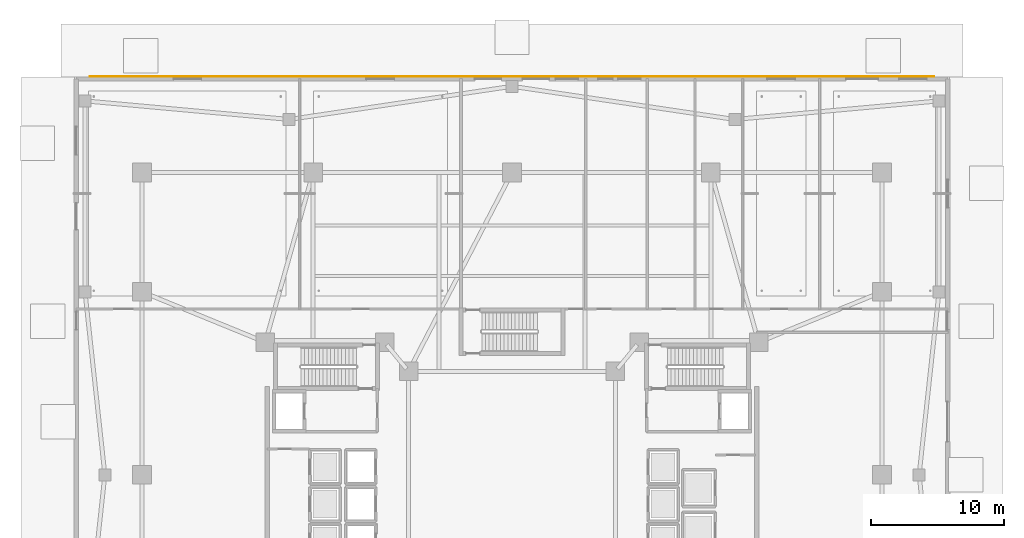
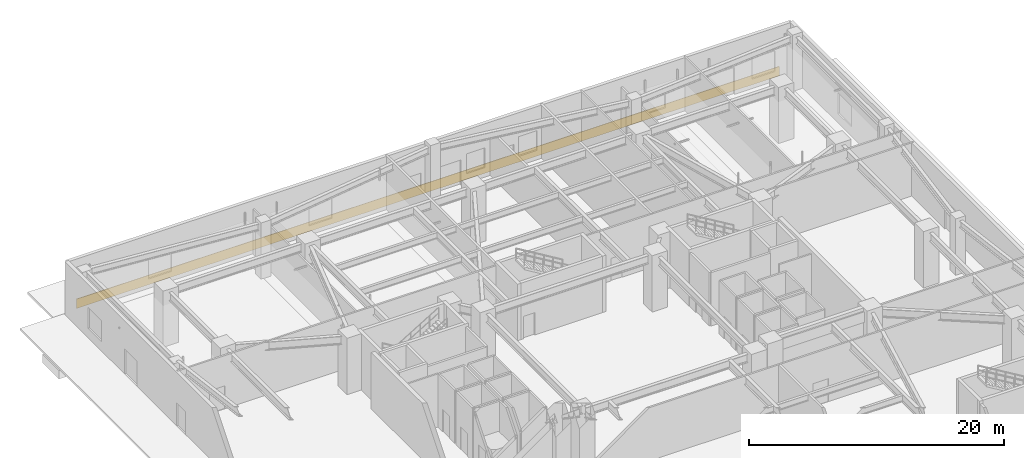
# One storey, part 17 of 18: 1 covering.
"""IFC4 building model written with IfcOpenShell, lengths in metres."""

from ifc_helpers import new_model, si_unit, direction, frame, origin, origin_2d, place, context, subcontext, project, spatial, rectangle, extrude, material, layer, layer_set, type_object, element, save


model = new_model("IFC4")

# Units and contexts
model_context = context("Model", 3, precision=1e-05, world=origin(), true_north=direction((0.0, 1.0)))
body_context = subcontext(model_context, "Body", "Model", "MODEL_VIEW")
ifc_project = project(units=[si_unit("LENGTHUNIT", "METRE"), si_unit("AREAUNIT", "SQUARE_METRE"), si_unit("VOLUMEUNIT", "CUBIC_METRE"), si_unit("PLANEANGLEUNIT", "RADIAN"), si_unit("MASSUNIT", "GRAM", prefix="KILO")], contexts=[model_context])

# Site, building, storey
site_placement = place(None, origin())
site = spatial("IfcSite", under=ifc_project, at=site_placement, CompositionType="ELEMENT")
building_placement = place(site_placement, origin())
building = spatial("IfcBuilding", under=site, at=building_placement, Name="Tarnavaz Court Tower", CompositionType="ELEMENT")
storey_placement = place(building_placement, origin())
storey = spatial("IfcBuildingStorey", under=building, at=storey_placement, Name="L00", CompositionType="ELEMENT", Elevation=0.0)

# Covering
ifc_material = material(Name="Doha Buff Limestone Ashlar Rainscreen", Category="masonry")
ifc_layer = layer(ifc_material, 0.050048828125)
ifc_layer_set = layer_set([ifc_layer], Name="Doha Buff Limestone Ashlar Rainscreen")
covering_type = type_object("IfcCoveringType", Name="CV-CLAD-LIME", PredefinedType="CLADDING", material=ifc_layer_set)
covering_placement = place(storey_placement, frame((0.0, 30.034912109375, 0.10009765625), z_axis=(0.0, 0.0, 1.0), x_axis=(1.0, 0.0, 0.0)))
element("IfcCovering", 1, at=covering_placement, inside=storey, type_object=covering_type, Name="L00 Buff Limestone Base Cladding 01", PredefinedType="CLADDING", context=body_context, shape_type="SweptSolid", body=[
    extrude(rectangle(XDim=63.699951171875, YDim=0.050048828125, at=origin_2d()), origin(), (0.0, 0.0, 1.0), 0.89990234375),
])

save(model, "model.ifc")
